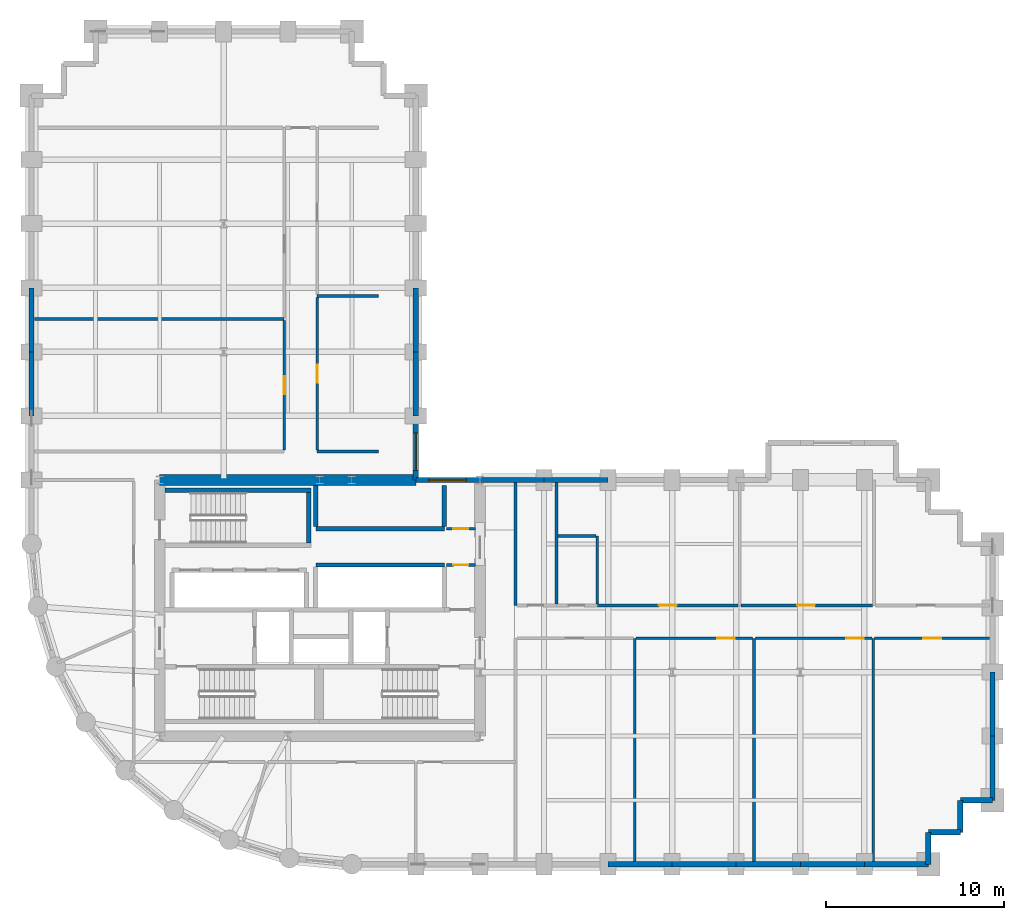
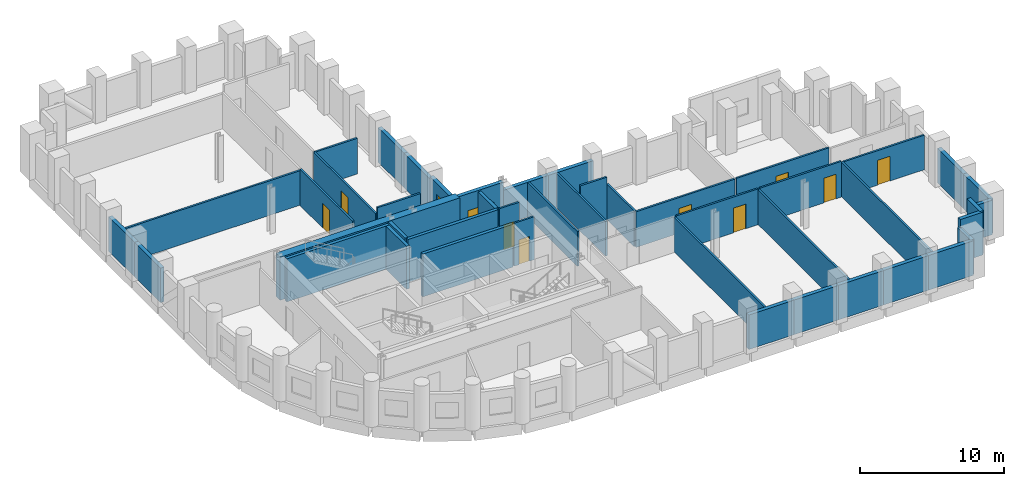
# One storey, part 5 of 8: 45 walls, 9 doors, 2 windows, 11 openings.
"""IFC4 building model written with IfcOpenShell, lengths in metres."""

from ifc_helpers import new_model, si_unit, direction, frame, frame_2d, origin, place, context, subcontext, project, spatial, rectangle, extrude, material, layer, layer_set, type_object, element, fill, save


model = new_model("IFC4")

# Units and contexts
model_context = context("Model", 3, precision=1e-05, world=origin(), true_north=direction((0.0, 1.0)))
body_context = subcontext(model_context, "Body", "Model", "MODEL_VIEW")
ifc_project = project(units=[si_unit("LENGTHUNIT", "METRE"), si_unit("AREAUNIT", "SQUARE_METRE"), si_unit("VOLUMEUNIT", "CUBIC_METRE"), si_unit("PLANEANGLEUNIT", "RADIAN"), si_unit("MASSUNIT", "GRAM", prefix="KILO")], contexts=[model_context])

# Site, building, storey
site_placement = place(None, origin())
site = spatial("IfcSite", under=ifc_project, at=site_placement, CompositionType="ELEMENT")
building_placement = place(site_placement, origin())
building = spatial("IfcBuilding", under=site, at=building_placement, Name="Solnavia Interchange Tower", CompositionType="ELEMENT")
storey_placement = place(building_placement, frame((0.0, 0.0, 35.699951171875)))
storey = spatial("IfcBuildingStorey", under=building, at=storey_placement, Name="L08", CompositionType="ELEMENT", Elevation=35.699951171875)

# Walls
ifc_material_1 = material(Name="Concrete C40/50", Category="concrete")
ifc_layer_1 = layer(ifc_material_1, 0.300048828125)
ifc_layer_set_1 = layer_set([ifc_layer_1], Name="Concrete C40/50")
wall_type_1 = type_object("IfcWallType", Name="Wall-ExtSpandrel-300", PredefinedType="STANDARD", material=ifc_layer_set_1)
wall_1_placement = place(storey_placement, frame((43.199951171875, 3.60009765625, 0.0), z_axis=(0.0, 0.0, 1.0), x_axis=(-1.0, 0.0, 0.0)))
element("IfcWall", 1, at=wall_1_placement, inside=storey, type_object=wall_type_1, Name="EXW-L08-05 Exterior precast spandrel wall", PredefinedType="STANDARD", context=body_context, shape_type="SweptSolid", body=[
    extrude(rectangle(XDim=3.599853515625, YDim=0.300048828125, at=frame_2d((1.7998046875, 0.0))), origin(), (0.0, 0.0, 1.0), 2.929931640625),
])
wall_2_placement = place(storey_placement, frame((46.800048828125, 3.60009765625, 0.0), z_axis=(0.0, 0.0, 1.0), x_axis=(-1.0, 0.0, 0.0)))
element("IfcWall", 2, at=wall_2_placement, inside=storey, type_object=wall_type_1, Name="EXW-L08-06 Exterior precast spandrel wall", PredefinedType="STANDARD", context=body_context, shape_type="SweptSolid", body=[
    extrude(rectangle(XDim=3.60009765625, YDim=0.300048828125, at=frame_2d((1.800048828125, 0.0))), origin(), (0.0, 0.0, 1.0), 2.929931640625),
])
wall_3_placement = place(storey_placement, frame((50.39990234375, 3.60009765625, 0.0), z_axis=(0.0, 0.0, 1.0), x_axis=(-1.0, 0.0, 0.0)))
element("IfcWall", 3, at=wall_3_placement, inside=storey, type_object=wall_type_1, Name="EXW-L08-07 Exterior precast spandrel wall", PredefinedType="STANDARD", context=body_context, shape_type="SweptSolid", body=[
    extrude(rectangle(XDim=3.599853515625, YDim=0.300048828125, at=frame_2d((1.7998046875, 0.0))), origin(), (0.0, 0.0, 1.0), 2.929931640625),
])
for number, where, z_axis, x_axis, name in (
    (4, (54.0, 3.60009765625, 0.0), (0.0, 0.0, 1.0), (-1.0, 0.0, 0.0), "EXW-L08-08 Exterior precast spandrel wall"),
    (5, (57.60009765625, 3.60009765625, 0.0), (0.0, 0.0, 1.0), (-1.0, 0.0, 0.0), "EXW-L08-09 Exterior precast spandrel wall"),
):
    element("IfcWall", number, at=place(storey_placement, frame(where, z_axis=z_axis, x_axis=x_axis)), inside=storey, type_object=wall_type_1, Name=name, PredefinedType="STANDARD", context=body_context, shape_type="SweptSolid", body=[
        extrude(rectangle(XDim=3.60009765625, YDim=0.300048828125, at=frame_2d((1.800048828125, 0.0))), origin(), (0.0, 0.0, 1.0), 2.929931640625),
    ])
wall_4_placement = place(storey_placement, frame((57.60009765625, 5.39990234375, 0.0), z_axis=(0.0, 0.0, 1.0), x_axis=(0.0, -1.0, 0.0)))
element("IfcWall", 6, at=wall_4_placement, inside=storey, type_object=wall_type_1, Name="EXW-L08-10 Exterior precast spandrel wall", PredefinedType="STANDARD", context=body_context, shape_type="SweptSolid", body=[
    extrude(rectangle(XDim=1.7998046875, YDim=0.300048828125, at=frame_2d((0.89990234375, 0.0))), origin(), (0.0, 0.0, 1.0), 2.929931640625),
])
wall_5_placement = place(storey_placement, frame((59.39990234375, 5.39990234375, 0.0), z_axis=(0.0, 0.0, 1.0), x_axis=(-1.0, 0.0, 0.0)))
element("IfcWall", 7, at=wall_5_placement, inside=storey, type_object=wall_type_1, Name="EXW-L08-11 Exterior precast spandrel wall", PredefinedType="STANDARD", context=body_context, shape_type="SweptSolid", body=[
    extrude(rectangle(XDim=1.7998046875, YDim=0.300048828125, at=frame_2d((0.89990234375, 0.0))), origin(), (0.0, 0.0, 1.0), 3.635009765625),
])
wall_6_placement = place(storey_placement, frame((59.39990234375, 7.199951171875, 0.0), z_axis=(0.0, 0.0, 1.0), x_axis=(0.0, -1.0, 0.0)))
element("IfcWall", 8, at=wall_6_placement, inside=storey, type_object=wall_type_1, Name="EXW-L08-12 Exterior precast spandrel wall", PredefinedType="STANDARD", context=body_context, shape_type="SweptSolid", body=[
    extrude(rectangle(XDim=1.800048828125, YDim=0.300048828125, at=frame_2d((0.89990234375, 0.0))), origin(), (0.0, 0.0, 1.0), 3.635009765625),
])
wall_7_placement = place(storey_placement, frame((61.199951171875, 7.199951171875, 0.0), z_axis=(0.0, 0.0, 1.0), x_axis=(-1.0, 0.0, 0.0)))
element("IfcWall", 9, at=wall_7_placement, inside=storey, type_object=wall_type_1, Name="EXW-L08-13 Exterior precast spandrel wall", PredefinedType="STANDARD", context=body_context, shape_type="SweptSolid", body=[
    extrude(rectangle(XDim=1.800048828125, YDim=0.300048828125, at=frame_2d((0.89990234375, 0.0))), origin(), (0.0, 0.0, 1.0), 2.929931640625),
])
wall_8_placement = place(storey_placement, frame((61.199951171875, 10.800048828125, 0.0), z_axis=(0.0, 0.0, 1.0), x_axis=(0.0, -1.0, 0.0)))
element("IfcWall", 10, at=wall_8_placement, inside=storey, type_object=wall_type_1, Name="EXW-L08-14 Exterior precast spandrel wall", PredefinedType="STANDARD", context=body_context, shape_type="SweptSolid", body=[
    extrude(rectangle(XDim=3.60009765625, YDim=0.300048828125, at=frame_2d((1.800048828125, 0.0))), origin(), (0.0, 0.0, 1.0), 2.929931640625),
])
wall_9_placement = place(storey_placement, frame((61.199951171875, 14.39990234375, 0.0), z_axis=(0.0, 0.0, 1.0), x_axis=(0.0, -1.0, 0.0)))
element("IfcWall", 11, at=wall_9_placement, inside=storey, type_object=wall_type_1, Name="EXW-L08-15 Exterior precast spandrel wall", PredefinedType="STANDARD", context=body_context, shape_type="SweptSolid", body=[
    extrude(rectangle(XDim=3.599853515625, YDim=0.300048828125, at=frame_2d((1.7998046875, 0.0))), origin(), (0.0, 0.0, 1.0), 2.929931640625),
])
for number, where, z_axis, x_axis, name in (
    (12, (36.0, 25.199951171875, 0.0), (0.0, 0.0, 1.0), (1.0, 0.0, 0.0), "EXW-L08-31 Exterior precast spandrel wall"),
    (13, (32.39990234375, 25.199951171875, 0.0), (0.0, 0.0, 1.0), (1.0, 0.0, 0.0), "EXW-L08-32 Exterior precast spandrel wall"),
):
    element("IfcWall", number, at=place(storey_placement, frame(where, z_axis=z_axis, x_axis=x_axis)), inside=storey, type_object=wall_type_1, Name=name, PredefinedType="STANDARD", context=body_context, shape_type="SweptSolid", body=[
        extrude(rectangle(XDim=3.60009765625, YDim=0.300048828125, at=frame_2d((1.800048828125, 0.0))), origin(), (0.0, 0.0, 1.0), 2.929931640625),
    ])

# Wall, opening, window
wall_10_placement = place(storey_placement, frame((28.800048828125, 25.199951171875, 0.0), z_axis=(0.0, 0.0, 1.0), x_axis=(1.0, 0.0, 0.0)))
wall_10 = element("IfcWall", 14, at=wall_10_placement, inside=storey, type_object=wall_type_1, Name="EXW-L08-33 Exterior precast spandrel wall", PredefinedType="STANDARD", context=body_context, shape_type="SweptSolid", body=[
    extrude(rectangle(XDim=3.599853515625, YDim=0.300048828125, at=frame_2d((1.7998046875, 0.0))), origin(), (0.0, 0.0, 1.0), 3.635009765625),
])
opening_1_placement = place(wall_10_placement, frame((0.72802734375, 0.0, 0.85009765625)))
opening_1 = element("IfcOpeningElement", 15, at=opening_1_placement, cuts=wall_10, Name="Opening WIN-01", PredefinedType="OPENING", context=body_context, shape_type="SweptSolid", body=[
    extrude(rectangle(XDim=2.10009765625, YDim=1.35009765625, at=frame_2d((1.050048828125, 0.675048828125))), frame((0.0, 0.16015625, 0.0), z_axis=(0.0, -1.0, 0.0), x_axis=(1.0, 0.0, 0.0)), (0.0, 0.0, 1.0), 0.320068359375),
])
ifc_material_2 = material(Name="Thermal-Break Aluminium & Low-E Glass", Category="aluminium")
window_type = type_object("IfcWindowType", Name="Window-Ribbon-2100x1350", PartitioningType="SINGLE_PANEL", PredefinedType="WINDOW", material=ifc_material_2)
window_1_placement = place(opening_1_placement, origin())
window_1 = element("IfcWindow", 16, at=window_1_placement, inside=storey, type_object=window_type, Name="WIN-L08-33 Facade ribbon window", OverallHeight=1.35009765625, OverallWidth=2.10009765625, PartitioningType="SINGLE_PANEL", PredefinedType="WINDOW", context=body_context, shape_type="SweptSolid", body=[
    extrude(rectangle(XDim=2.10009765625, YDim=1.35009765625, at=frame_2d((1.050048828125, 0.675048828125))), frame((0.0, 0.030029296875, 0.0), z_axis=(0.0, -1.0, 0.0), x_axis=(1.0, 0.0, 0.0)), (0.0, 0.0, 1.0), 0.06005859375),
])
fill(opening_1, window_1)

wall_11_placement = place(storey_placement, frame((28.800048828125, 25.199951171875, 0.0), z_axis=(0.0, 0.0, 1.0), x_axis=(0.0, 1.0, 0.0)))
wall_11 = element("IfcWall", 17, at=wall_11_placement, inside=storey, type_object=wall_type_1, Name="EXW-L08-34 Exterior precast spandrel wall", PredefinedType="STANDARD", context=body_context, shape_type="SweptSolid", body=[
    extrude(rectangle(XDim=3.60009765625, YDim=0.300048828125, at=frame_2d((1.800048828125, 0.0))), origin(), (0.0, 0.0, 1.0), 3.14013671875),
])
opening_2_placement = place(wall_11_placement, frame((0.544921875, 0.0, 0.85009765625)))
opening_2 = element("IfcOpeningElement", 18, at=opening_2_placement, cuts=wall_11, Name="Opening WIN-01", PredefinedType="OPENING", context=body_context, shape_type="SweptSolid", body=[
    extrude(rectangle(XDim=2.10009765625, YDim=1.35009765625, at=frame_2d((1.050048828125, 0.675048828125))), frame((0.0, 0.16015625, 0.0), z_axis=(0.0, -1.0, 0.0), x_axis=(1.0, 0.0, 0.0)), (0.0, 0.0, 1.0), 0.320068359375),
])
window_2_placement = place(opening_2_placement, origin())
window_2 = element("IfcWindow", 19, at=window_2_placement, inside=storey, type_object=window_type, Name="WIN-L08-34 Facade ribbon window", OverallHeight=1.35009765625, OverallWidth=2.10009765625, PartitioningType="SINGLE_PANEL", PredefinedType="WINDOW", context=body_context, shape_type="SweptSolid", body=[
    extrude(rectangle(XDim=2.10009765625, YDim=1.35009765625, at=frame_2d((1.050048828125, 0.675048828125))), frame((0.0, 0.030029296875, 0.0), z_axis=(0.0, -1.0, 0.0), x_axis=(1.0, 0.0, 0.0)), (0.0, 0.0, 1.0), 0.06005859375),
])
fill(opening_2, window_2)

# Walls
wall_12_placement = place(storey_placement, frame((28.800048828125, 28.800048828125, 0.0), z_axis=(0.0, 0.0, 1.0), x_axis=(0.0, 1.0, 0.0)))
element("IfcWall", 20, at=wall_12_placement, inside=storey, type_object=wall_type_1, Name="EXW-L08-35 Exterior precast spandrel wall", PredefinedType="STANDARD", context=body_context, shape_type="SweptSolid", body=[
    extrude(rectangle(XDim=3.599853515625, YDim=0.300048828125, at=frame_2d((1.7998046875, 0.0))), origin(), (0.0, 0.0, 1.0), 2.929931640625),
])
for number, where, z_axis, x_axis, name in (
    (21, (28.800048828125, 32.39990234375, 0.0), (0.0, 0.0, 1.0), (0.0, 1.0, 0.0), "EXW-L08-36 Exterior precast spandrel wall"),
    (22, (7.199951171875, 32.39990234375, 0.0), (0.0, 0.0, 1.0), (0.0, 1.0, 0.0), "EXW-L08-55 Exterior precast spandrel wall"),
):
    element("IfcWall", number, at=place(storey_placement, frame(where, z_axis=z_axis, x_axis=x_axis)), inside=storey, type_object=wall_type_1, Name=name, PredefinedType="STANDARD", context=body_context, shape_type="SweptSolid", body=[
        extrude(rectangle(XDim=3.60009765625, YDim=0.300048828125, at=frame_2d((1.800048828125, 0.0))), origin(), (0.0, 0.0, 1.0), 2.929931640625),
    ])
wall_13_placement = place(storey_placement, frame((7.199951171875, 28.800048828125, 0.0), z_axis=(0.0, 0.0, 1.0), x_axis=(0.0, 1.0, 0.0)))
element("IfcWall", 23, at=wall_13_placement, inside=storey, type_object=wall_type_1, Name="EXW-L08-56 Exterior precast spandrel wall", PredefinedType="STANDARD", context=body_context, shape_type="SweptSolid", body=[
    extrude(rectangle(XDim=3.599853515625, YDim=0.300048828125, at=frame_2d((1.7998046875, 0.0))), origin(), (0.0, 0.0, 1.0), 2.929931640625),
])

# Wall, opening, door
ifc_material_3 = material(Name="Gypsum Plasterboard & Steel Stud", Category="steel")
ifc_layer_2 = layer(ifc_material_3, 0.14990234375)
ifc_layer_set_2 = layer_set([ifc_layer_2], Name="Gypsum Plasterboard & Steel Stud")
wall_type_2 = type_object("IfcWallType", Name="Wall-Partition-150", PredefinedType="PARTITIONING", material=ifc_layer_set_2)
wall_14_placement = place(storey_placement, frame((30.52001953125, 22.4599609375, 0.0), z_axis=(0.0, 0.0, 1.0), x_axis=(1.0, 0.0, 0.0)))
wall_14 = element("IfcWall", 24, at=wall_14_placement, inside=storey, type_object=wall_type_2, Name="CSW-L08-NE-S Core shaft wall", PredefinedType="PARTITIONING", context=body_context, shape_type="SweptSolid", body=[
    extrude(rectangle(XDim=1.6298828125, YDim=0.14990234375, at=frame_2d((0.81494140625, 0.0))), origin(), (0.0, 0.0, 1.0), 3.635009765625),
])
opening_3_placement = place(wall_14_placement, frame((0.3798828125, 0.0, 0.0)))
opening_3 = element("IfcOpeningElement", 25, at=opening_3_placement, cuts=wall_14, Name="Opening DR-10", PredefinedType="OPENING", context=body_context, shape_type="SweptSolid", body=[
    extrude(rectangle(XDim=0.85009765625, YDim=2.10009765625, at=frame_2d((0.425048828125, 1.050048828125))), frame((0.0, 0.0849609375, 0.0), z_axis=(0.0, -1.0, 0.0), x_axis=(1.0, 0.0, 0.0)), (0.0, 0.0, 1.0), 0.169921875),
])
ifc_material_4 = material(Name="Moisture-Resistant Timber Door", Category="wood")
door_type_1 = type_object("IfcDoorType", Name="Door-Bathroom-850x2100", OperationType="SINGLE_SWING_RIGHT", PredefinedType="DOOR", material=ifc_material_4)
door_1_placement = place(opening_3_placement, origin())
door_1 = element("IfcDoor", 26, at=door_1_placement, inside=storey, type_object=door_type_1, Name="DR-L08-CNE1 Core fire door", OperationType="SINGLE_SWING_RIGHT", OverallHeight=2.10009765625, OverallWidth=0.85009765625, PredefinedType="DOOR", context=body_context, shape_type="SweptSolid", body=[
    extrude(rectangle(XDim=0.85009765625, YDim=2.10009765625, at=frame_2d((0.425048828125, 1.050048828125))), frame((0.0, 0.02490234375, 0.0), z_axis=(0.0, -1.0, 0.0), x_axis=(1.0, 0.0, 0.0)), (0.0, 0.0, 1.0), 0.050048828125),
])
fill(opening_3, door_1)

wall_15_placement = place(storey_placement, frame((30.52001953125, 20.419921875, 0.0), z_axis=(0.0, 0.0, 1.0), x_axis=(1.0, 0.0, 0.0)))
wall_15 = element("IfcWall", 27, at=wall_15_placement, inside=storey, type_object=wall_type_2, Name="CSW-L08-SE-N Core shaft wall", PredefinedType="PARTITIONING", context=body_context, shape_type="SweptSolid", body=[
    extrude(rectangle(XDim=1.6298828125, YDim=0.14990234375, at=frame_2d((0.81494140625, 0.0))), origin(), (0.0, 0.0, 1.0), 3.635009765625),
])
opening_4_placement = place(wall_15_placement, frame((0.3798828125, 0.0, 0.0)))
opening_4 = element("IfcOpeningElement", 28, at=opening_4_placement, cuts=wall_15, Name="Opening DR-10", PredefinedType="OPENING", context=body_context, shape_type="SweptSolid", body=[
    extrude(rectangle(XDim=0.85009765625, YDim=2.10009765625, at=frame_2d((0.425048828125, 1.050048828125))), frame((0.0, 0.0849609375, 0.0), z_axis=(0.0, -1.0, 0.0), x_axis=(1.0, 0.0, 0.0)), (0.0, 0.0, 1.0), 0.169921875),
])
door_2_placement = place(opening_4_placement, origin())
door_2 = element("IfcDoor", 29, at=door_2_placement, inside=storey, type_object=door_type_1, Name="DR-L08-CSE1 Core fire door", OperationType="SINGLE_SWING_LEFT", OverallHeight=2.10009765625, OverallWidth=0.85009765625, PredefinedType="DOOR", context=body_context, shape_type="SweptSolid", body=[
    extrude(rectangle(XDim=0.85009765625, YDim=2.10009765625, at=frame_2d((0.425048828125, 1.050048828125))), frame((0.0, 0.02490234375, 0.0), z_axis=(0.0, -1.0, 0.0), x_axis=(1.0, 0.0, 0.0)), (0.0, 0.0, 1.0), 0.050048828125),
])
fill(opening_4, door_2)

# Walls
for number, where, z_axis, x_axis, name in (
    (30, (41.10009765625, 3.75390625, 0.0), (0.0, 0.0, 1.0), (0.0, 1.0, 0.0), "PTW-L08-18 Interior partition wall"),
    (31, (47.800048828125, 3.75390625, 0.0), (0.0, 0.0, 1.0), (0.0, 1.0, 0.0), "PTW-L08-20 Interior partition wall"),
):
    element("IfcWall", number, at=place(storey_placement, frame(where, z_axis=z_axis, x_axis=x_axis)), inside=storey, type_object=wall_type_2, Name=name, PredefinedType="PARTITIONING", context=body_context, shape_type="SweptSolid", body=[
        extrude(rectangle(XDim=12.546142578125, YDim=0.14990234375, at=frame_2d((6.27294921875, 0.0))), origin(), (0.0, 0.0, 1.0), 2.929931640625),
    ])

# Wall, opening, door
wall_16_placement = place(storey_placement, frame((41.178955078125, 16.300048828125, 0.0), z_axis=(0.0, 0.0, 1.0), x_axis=(1.0, 0.0, 0.0)))
wall_16 = element("IfcWall", 32, at=wall_16_placement, inside=storey, type_object=wall_type_2, Name="PTW-L08-21 Interior partition wall", PredefinedType="PARTITIONING", context=body_context, shape_type="SweptSolid", body=[
    extrude(rectangle(XDim=6.5419921875, YDim=0.14990234375, at=frame_2d((3.27099609375, 0.0))), origin(), (0.0, 0.0, 1.0), 3.0400390625),
])
opening_5_placement = place(wall_16_placement, frame((4.550048828125, 0.0, 0.0)))
opening_5 = element("IfcOpeningElement", 33, at=opening_5_placement, cuts=wall_16, Name="Opening DR-07", PredefinedType="OPENING", context=body_context, shape_type="SweptSolid", body=[
    extrude(rectangle(XDim=1.0, YDim=2.10009765625, at=frame_2d((0.5, 1.050048828125))), frame((0.0, 0.0849609375, 0.0), z_axis=(0.0, -1.0, 0.0), x_axis=(1.0, 0.0, 0.0)), (0.0, 0.0, 1.0), 0.169921875),
])
ifc_material_5 = material(Name="Timber & Acoustic Glazed Office Door", Category="wood")
door_type_2 = type_object("IfcDoorType", Name="Door-Office-1000x2100", OperationType="SINGLE_SWING_RIGHT", PredefinedType="DOOR", material=ifc_material_5)
door_3_placement = place(opening_5_placement, origin())
door_3 = element("IfcDoor", 34, at=door_3_placement, inside=storey, type_object=door_type_2, Name="DR-L08-09 Interior room door", OperationType="SINGLE_SWING_RIGHT", OverallHeight=2.10009765625, OverallWidth=1.0, PredefinedType="DOOR", context=body_context, shape_type="SweptSolid", body=[
    extrude(rectangle(XDim=1.0, YDim=2.10009765625, at=frame_2d((0.5, 1.050048828125))), frame((0.0, 0.02490234375, 0.0), z_axis=(0.0, -1.0, 0.0), x_axis=(1.0, 0.0, 0.0)), (0.0, 0.0, 1.0), 0.050048828125),
])
fill(opening_5, door_3)

# Wall
wall_17_placement = place(storey_placement, frame((54.5, 3.75390625, 0.0), z_axis=(0.0, 0.0, 1.0), x_axis=(0.0, 1.0, 0.0)))
element("IfcWall", 35, at=wall_17_placement, inside=storey, type_object=wall_type_2, Name="PTW-L08-22 Interior partition wall", PredefinedType="PARTITIONING", context=body_context, shape_type="SweptSolid", body=[
    extrude(rectangle(XDim=12.546142578125, YDim=0.14990234375, at=frame_2d((6.27294921875, 0.0))), origin(), (0.0, 0.0, 1.0), 2.929931640625),
])

# Wall, opening, door
wall_18_placement = place(storey_placement, frame((47.87890625, 16.300048828125, 0.0), z_axis=(0.0, 0.0, 1.0), x_axis=(1.0, 0.0, 0.0)))
wall_18 = element("IfcWall", 36, at=wall_18_placement, inside=storey, type_object=wall_type_2, Name="PTW-L08-23 Interior partition wall", PredefinedType="PARTITIONING", context=body_context, shape_type="SweptSolid", body=[
    extrude(rectangle(XDim=6.5419921875, YDim=0.14990234375, at=frame_2d((3.27099609375, 0.0))), origin(), (0.0, 0.0, 1.0), 3.0400390625),
])
opening_6_placement = place(wall_18_placement, frame((5.10302734375, 0.0, 0.0)))
opening_6 = element("IfcOpeningElement", 37, at=opening_6_placement, cuts=wall_18, Name="Opening DR-07", PredefinedType="OPENING", context=body_context, shape_type="SweptSolid", body=[
    extrude(rectangle(XDim=1.0, YDim=2.10009765625, at=frame_2d((0.5, 1.050048828125))), frame((0.0, 0.0849609375, 0.0), z_axis=(0.0, -1.0, 0.0), x_axis=(1.0, 0.0, 0.0)), (0.0, 0.0, 1.0), 0.169921875),
])
door_4_placement = place(opening_6_placement, origin())
door_4 = element("IfcDoor", 38, at=door_4_placement, inside=storey, type_object=door_type_2, Name="DR-L08-10 Interior room door", OperationType="SINGLE_SWING_LEFT", OverallHeight=2.10009765625, OverallWidth=1.0, PredefinedType="DOOR", context=body_context, shape_type="SweptSolid", body=[
    extrude(rectangle(XDim=1.0, YDim=2.10009765625, at=frame_2d((0.5, 1.050048828125))), frame((0.0, 0.02490234375, 0.0), z_axis=(0.0, -1.0, 0.0), x_axis=(1.0, 0.0, 0.0)), (0.0, 0.0, 1.0), 0.050048828125),
])
fill(opening_6, door_4)

wall_19_placement = place(storey_placement, frame((54.5791015625, 16.300048828125, 0.0), z_axis=(0.0, 0.0, 1.0), x_axis=(1.0, 0.0, 0.0)))
wall_19 = element("IfcWall", 39, at=wall_19_placement, inside=storey, type_object=wall_type_2, Name="PTW-L08-24 Interior partition wall", PredefinedType="PARTITIONING", context=body_context, shape_type="SweptSolid", body=[
    extrude(rectangle(XDim=6.466796875, YDim=0.14990234375, at=frame_2d((3.2333984375, 0.0))), origin(), (0.0, 0.0, 1.0), 2.929931640625),
])
opening_7_placement = place(wall_19_placement, frame((2.73095703125, 0.0, 0.0)))
opening_7 = element("IfcOpeningElement", 40, at=opening_7_placement, cuts=wall_19, Name="Opening DR-07", PredefinedType="OPENING", context=body_context, shape_type="SweptSolid", body=[
    extrude(rectangle(XDim=1.0, YDim=2.10009765625, at=frame_2d((0.5, 1.050048828125))), frame((0.0, 0.0849609375, 0.0), z_axis=(0.0, -1.0, 0.0), x_axis=(1.0, 0.0, 0.0)), (0.0, 0.0, 1.0), 0.169921875),
])
door_5_placement = place(opening_7_placement, origin())
door_5 = element("IfcDoor", 41, at=door_5_placement, inside=storey, type_object=door_type_2, Name="DR-L08-11 Interior room door", OperationType="SINGLE_SWING_RIGHT", OverallHeight=2.10009765625, OverallWidth=1.0, PredefinedType="DOOR", context=body_context, shape_type="SweptSolid", body=[
    extrude(rectangle(XDim=1.0, YDim=2.10009765625, at=frame_2d((0.5, 1.050048828125))), frame((0.0, 0.02490234375, 0.0), z_axis=(0.0, -1.0, 0.0), x_axis=(1.0, 0.0, 0.0)), (0.0, 0.0, 1.0), 0.050048828125),
])
fill(opening_7, door_5)

wall_20_placement = place(storey_placement, frame((39.0, 18.14990234375, 0.0), z_axis=(0.0, 0.0, 1.0), x_axis=(1.0, 0.0, 0.0)))
wall_20 = element("IfcWall", 42, at=wall_20_placement, inside=storey, type_object=wall_type_2, Name="PTW-L08-26 Interior partition wall", PredefinedType="PARTITIONING", context=body_context, shape_type="SweptSolid", body=[
    extrude(rectangle(XDim=7.910888671875, YDim=0.14990234375, at=frame_2d((3.95556640625, 0.0))), origin(), (0.0, 0.0, 1.0), 3.030029296875),
])
opening_8_placement = place(wall_20_placement, frame((3.455078125, 0.0, 0.0)))
opening_8 = element("IfcOpeningElement", 43, at=opening_8_placement, cuts=wall_20, Name="Opening DR-07", PredefinedType="OPENING", context=body_context, shape_type="SweptSolid", body=[
    extrude(rectangle(XDim=1.0, YDim=2.10009765625, at=frame_2d((0.5, 1.050048828125))), frame((0.0, 0.0849609375, 0.0), z_axis=(0.0, -1.0, 0.0), x_axis=(1.0, 0.0, 0.0)), (0.0, 0.0, 1.0), 0.169921875),
])
door_6_placement = place(opening_8_placement, origin())
door_6 = element("IfcDoor", 44, at=door_6_placement, inside=storey, type_object=door_type_2, Name="DR-L08-12 Interior room door", OperationType="SINGLE_SWING_RIGHT", OverallHeight=2.10009765625, OverallWidth=1.0, PredefinedType="DOOR", context=body_context, shape_type="SweptSolid", body=[
    extrude(rectangle(XDim=1.0, YDim=2.10009765625, at=frame_2d((0.5, 1.050048828125))), frame((0.0, 0.02490234375, 0.0), z_axis=(0.0, -1.0, 0.0), x_axis=(1.0, 0.0, 0.0)), (0.0, 0.0, 1.0), 0.050048828125),
])
fill(opening_8, door_6)

wall_21_placement = place(storey_placement, frame((47.069091796875, 18.14990234375, 0.0), z_axis=(0.0, 0.0, 1.0), x_axis=(1.0, 0.0, 0.0)))
wall_21 = element("IfcWall", 45, at=wall_21_placement, inside=storey, type_object=wall_type_2, Name="PTW-L08-28 Interior partition wall", PredefinedType="PARTITIONING", context=body_context, shape_type="SweptSolid", body=[
    extrude(rectangle(XDim=7.391845703125, YDim=0.14990234375, at=frame_2d((3.69580078125, 0.0))), origin(), (0.0, 0.0, 1.0), 3.0400390625),
])
opening_9_placement = place(wall_21_placement, frame((3.156005859375, 0.0, 0.0)))
opening_9 = element("IfcOpeningElement", 46, at=opening_9_placement, cuts=wall_21, Name="Opening DR-07", PredefinedType="OPENING", context=body_context, shape_type="SweptSolid", body=[
    extrude(rectangle(XDim=1.0, YDim=2.10009765625, at=frame_2d((0.5, 1.050048828125))), frame((0.0, 0.0849609375, 0.0), z_axis=(0.0, -1.0, 0.0), x_axis=(1.0, 0.0, 0.0)), (0.0, 0.0, 1.0), 0.169921875),
])
door_7_placement = place(opening_9_placement, origin())
door_7 = element("IfcDoor", 47, at=door_7_placement, inside=storey, type_object=door_type_2, Name="DR-L08-13 Interior room door", OperationType="SINGLE_SWING_RIGHT", OverallHeight=2.10009765625, OverallWidth=1.0, PredefinedType="DOOR", context=body_context, shape_type="SweptSolid", body=[
    extrude(rectangle(XDim=1.0, YDim=2.10009765625, at=frame_2d((0.5, 1.050048828125))), frame((0.0, 0.02490234375, 0.0), z_axis=(0.0, -1.0, 0.0), x_axis=(1.0, 0.0, 0.0)), (0.0, 0.0, 1.0), 0.050048828125),
])
fill(opening_9, door_7)

# Wall
wall_22_placement = place(storey_placement, frame((7.35400390625, 34.25, 0.0), z_axis=(0.0, 0.0, 1.0), x_axis=(1.0, 0.0, 0.0)))
element("IfcWall", 48, at=wall_22_placement, inside=storey, type_object=wall_type_2, Name="PTW-L08-31 Interior partition wall", PredefinedType="PARTITIONING", context=body_context, shape_type="SweptSolid", body=[
    extrude(rectangle(XDim=14.0458984375, YDim=0.14990234375, at=frame_2d((7.02294921875, 0.0))), origin(), (0.0, 0.0, 1.0), 2.929931640625),
])

# Wall, opening, door
wall_23_placement = place(storey_placement, frame((21.39990234375, 26.87890625, 0.0), z_axis=(0.0, 0.0, 1.0), x_axis=(0.0, 1.0, 0.0)))
wall_23 = element("IfcWall", 49, at=wall_23_placement, inside=storey, type_object=wall_type_2, Name="PTW-L08-32 Interior partition wall", PredefinedType="PARTITIONING", context=body_context, shape_type="SweptSolid", body=[
    extrude(rectangle(XDim=7.2919921875, YDim=0.14990234375, at=frame_2d((3.64599609375, 0.0))), origin(), (0.0, 0.0, 1.0), 3.080078125),
])
opening_10_placement = place(wall_23_placement, frame((3.14599609375, 0.0, 0.0)))
opening_10 = element("IfcOpeningElement", 50, at=opening_10_placement, cuts=wall_23, Name="Opening DR-07", PredefinedType="OPENING", context=body_context, shape_type="SweptSolid", body=[
    extrude(rectangle(XDim=1.0, YDim=2.10009765625, at=frame_2d((0.5, 1.050048828125))), frame((0.0, 0.0849609375, 0.0), z_axis=(0.0, -1.0, 0.0), x_axis=(1.0, 0.0, 0.0)), (0.0, 0.0, 1.0), 0.169921875),
])
door_8_placement = place(opening_10_placement, origin())
door_8 = element("IfcDoor", 51, at=door_8_placement, inside=storey, type_object=door_type_2, Name="DR-L08-15 Interior room door", OperationType="SINGLE_SWING_RIGHT", OverallHeight=2.10009765625, OverallWidth=1.0, PredefinedType="DOOR", context=body_context, shape_type="SweptSolid", body=[
    extrude(rectangle(XDim=1.0, YDim=2.10009765625, at=frame_2d((0.5, 1.050048828125))), frame((0.0, 0.02490234375, 0.0), z_axis=(0.0, -1.0, 0.0), x_axis=(1.0, 0.0, 0.0)), (0.0, 0.0, 1.0), 0.050048828125),
])
fill(opening_10, door_8)

# Walls
wall_24_placement = place(storey_placement, frame((23.25, 26.800048828125, 0.0), z_axis=(0.0, 0.0, 1.0), x_axis=(1.0, 0.0, 0.0)))
element("IfcWall", 52, at=wall_24_placement, inside=storey, type_object=wall_type_2, Name="PTW-L08-34 Interior partition wall", PredefinedType="PARTITIONING", context=body_context, shape_type="SweptSolid", body=[
    extrude(rectangle(XDim=3.449951171875, YDim=0.14990234375, at=frame_2d((1.72509765625, 0.0))), origin(), (0.0, 0.0, 1.0), 3.635009765625),
])
wall_25_placement = place(storey_placement, frame((23.25, 35.5400390625, 0.0), z_axis=(0.0, 0.0, 1.0), x_axis=(1.0, 0.0, 0.0)))
element("IfcWall", 53, at=wall_25_placement, inside=storey, type_object=wall_type_2, Name="PTW-L08-35 Interior partition wall", PredefinedType="PARTITIONING", context=body_context, shape_type="SweptSolid", body=[
    extrude(rectangle(XDim=3.449951171875, YDim=0.14990234375, at=frame_2d((1.72509765625, 0.0))), origin(), (0.0, 0.0, 1.0), 3.030029296875),
])

# Wall, opening, door
wall_26_placement = place(storey_placement, frame((23.25, 26.87890625, 0.0), z_axis=(0.0, 0.0, 1.0), x_axis=(0.0, 1.0, 0.0)))
wall_26 = element("IfcWall", 54, at=wall_26_placement, inside=storey, type_object=wall_type_2, Name="PTW-L08-36 Interior partition wall", PredefinedType="PARTITIONING", context=body_context, shape_type="SweptSolid", body=[
    extrude(rectangle(XDim=8.58203125, YDim=0.14990234375, at=frame_2d((4.291015625, 0.0))), origin(), (0.0, 0.0, 1.0), 3.080078125),
])
opening_11_placement = place(wall_26_placement, frame((3.791015625, 0.0, 0.0)))
opening_11 = element("IfcOpeningElement", 55, at=opening_11_placement, cuts=wall_26, Name="Opening DR-07", PredefinedType="OPENING", context=body_context, shape_type="SweptSolid", body=[
    extrude(rectangle(XDim=1.0, YDim=2.10009765625, at=frame_2d((0.5, 1.050048828125))), frame((0.0, 0.0849609375, 0.0), z_axis=(0.0, -1.0, 0.0), x_axis=(1.0, 0.0, 0.0)), (0.0, 0.0, 1.0), 0.169921875),
])
door_9_placement = place(opening_11_placement, origin())
door_9 = element("IfcDoor", 56, at=door_9_placement, inside=storey, type_object=door_type_2, Name="DR-L08-17 Interior room door", OperationType="SINGLE_SWING_LEFT", OverallHeight=2.10009765625, OverallWidth=1.0, PredefinedType="DOOR", context=body_context, shape_type="SweptSolid", body=[
    extrude(rectangle(XDim=1.0, YDim=2.10009765625, at=frame_2d((0.5, 1.050048828125))), frame((0.0, 0.02490234375, 0.0), z_axis=(0.0, -1.0, 0.0), x_axis=(1.0, 0.0, 0.0)), (0.0, 0.0, 1.0), 0.050048828125),
])
fill(opening_11, door_9)

# Walls
ifc_layer_3 = layer(ifc_material_1, 0.25)
ifc_layer_set_3 = layer_set([ifc_layer_3], Name="Concrete C40/50")
wall_type_3 = type_object("IfcWallType", Name="Wall-ShaftCore-250", PredefinedType="SHEAR", material=ifc_layer_set_3)
wall_27_placement = place(storey_placement, frame((14.699951171875, 24.614990234375, 0.0), z_axis=(0.0, 0.0, 1.0), x_axis=(1.0, 0.0, 0.0)))
element("IfcWall", 57, at=wall_27_placement, inside=storey, type_object=wall_type_3, Name="SHW-L08-ST3N Core shear wall", PredefinedType="SHEAR", context=body_context, shape_type="SweptSolid", body=[
    extrude(rectangle(XDim=8.199951171875, YDim=0.25, at=frame_2d((4.10009765625, 0.0))), origin(), (0.0, 0.0, 1.0), 3.650146484375),
])
wall_28_placement = place(storey_placement, frame((22.77490234375, 21.64990234375, 0.0), z_axis=(0.0, 0.0, 1.0), x_axis=(0.0, 1.0, 0.0)))
element("IfcWall", 58, at=wall_28_placement, inside=storey, type_object=wall_type_3, Name="SHW-L08-ST3E Core shear wall", PredefinedType="SHEAR", context=body_context, shape_type="SweptSolid", body=[
    extrude(rectangle(XDim=2.840087890625, YDim=0.25, at=frame_2d((1.419921875, 0.0))), origin(), (0.0, 0.0, 1.0), 3.650146484375),
])
ifc_layer_4 = layer(ifc_material_1, 0.25)
ifc_layer_set_4 = layer_set([ifc_layer_4], Name="Concrete C40/50")
wall_type_4 = type_object("IfcWallType", Name="Wall-ShaftPart-250", PredefinedType="PARTITIONING", material=ifc_layer_set_4)
for number, where, z_axis, x_axis, name in (
    (59, (23.179931640625, 20.419921875, 0.0), (0.0, 0.0, 1.0), (1.0, 0.0, 0.0), "SHW-L08-B2N Core shaft wall"),
    (60, (23.179931640625, 22.4599609375, 0.0), (0.0, 0.0, 1.0), (1.0, 0.0, 0.0), "SHW-L08-B3S Core shaft wall"),
):
    element("IfcWall", number, at=place(storey_placement, frame(where, z_axis=z_axis, x_axis=x_axis)), inside=storey, type_object=wall_type_4, Name=name, PredefinedType="PARTITIONING", context=body_context, shape_type="SweptSolid", body=[
        extrude(rectangle(XDim=7.219970703125, YDim=0.25, at=frame_2d((3.60986328125, 0.0))), origin(), (0.0, 0.0, 1.0), 3.635009765625),
    ])
for number, where, z_axis, x_axis, name in (
    (61, (23.179931640625, 22.5849609375, 0.0), (0.0, 0.0, 1.0), (0.0, 1.0, 0.0), "SHW-L08-B3W Core shaft wall"),
    (62, (30.39990234375, 22.5849609375, 0.0), (0.0, 0.0, 1.0), (0.0, 1.0, 0.0), "SHW-L08-B3E Core shaft wall"),
):
    element("IfcWall", number, at=place(storey_placement, frame(where, z_axis=z_axis, x_axis=x_axis)), inside=storey, type_object=wall_type_4, Name=name, PredefinedType="PARTITIONING", context=body_context, shape_type="SweptSolid", body=[
        extrude(rectangle(XDim=2.31494140625, YDim=0.25, at=frame_2d((1.157470703125, 0.0))), origin(), (0.0, 0.0, 1.0), 3.635009765625),
    ])
ifc_material_6 = material(Name="Concrete C60/75", Category="concrete")
ifc_layer_5 = layer(ifc_material_6, 0.60009765625)
ifc_layer_set_5 = layer_set([ifc_layer_5], Name="Concrete C60/75")
wall_type_5 = type_object("IfcWallType", Name="Wall-ShearCore-600", PredefinedType="SHEAR", material=ifc_layer_set_5)
wall_29_placement = place(storey_placement, frame((14.39990234375, 25.199951171875, 0.0), z_axis=(0.0, 0.0, 1.0), x_axis=(1.0, 0.0, 0.0)))
element("IfcWall", 63, at=wall_29_placement, inside=storey, type_object=wall_type_5, Name="CRW-L08-N Core shear wall", PredefinedType="SHEAR", context=body_context, shape_type="SweptSolid", body=[
    extrude(rectangle(XDim=14.400146484375, YDim=0.60009765625, at=frame_2d((7.2001953125, 0.0))), origin(), (0.0, 0.0, 1.0), 3.650146484375),
])
ifc_material_7 = material(Name="Moisture-Resistant Gypsum & Steel Stud", Category="steel")
ifc_layer_6 = layer(ifc_material_7, 0.14990234375)
ifc_layer_set_6 = layer_set([ifc_layer_6], Name="Moisture-Resistant Gypsum & Steel Stud")
wall_type_6 = type_object("IfcWallType", Name="Wall-WetRoom-150", PredefinedType="PARTITIONING", material=ifc_layer_set_6)
wall_30_placement = place(storey_placement, frame((34.39990234375, 18.14990234375, 0.0), z_axis=(0.0, 0.0, 1.0), x_axis=(0.0, 1.0, 0.0)))
element("IfcWall", 64, at=wall_30_placement, inside=storey, type_object=wall_type_6, Name="PTW-L08-01 Interior partition wall", PredefinedType="PARTITIONING", context=body_context, shape_type="SweptSolid", body=[
    extrude(rectangle(XDim=6.89599609375, YDim=0.14990234375, at=frame_2d((3.447998046875, 0.0))), origin(), (0.0, 0.0, 1.0), 2.929931640625),
])
wall_31_placement = place(storey_placement, frame((36.699951171875, 18.22900390625, 0.0), z_axis=(0.0, 0.0, 1.0), x_axis=(0.0, 1.0, 0.0)))
element("IfcWall", 65, at=wall_31_placement, inside=storey, type_object=wall_type_6, Name="PTW-L08-03 Interior partition wall", PredefinedType="PARTITIONING", context=body_context, shape_type="SweptSolid", body=[
    extrude(rectangle(XDim=6.81689453125, YDim=0.14990234375, at=frame_2d((3.408447265625, 0.0))), origin(), (0.0, 0.0, 1.0), 2.929931640625),
])
wall_32_placement = place(storey_placement, frame((39.0, 18.22900390625, 0.0), z_axis=(0.0, 0.0, 1.0), x_axis=(0.0, 1.0, 0.0)))
element("IfcWall", 66, at=wall_32_placement, inside=storey, type_object=wall_type_6, Name="PTW-L08-05 Interior partition wall", PredefinedType="PARTITIONING", context=body_context, shape_type="SweptSolid", body=[
    extrude(rectangle(XDim=3.821044921875, YDim=0.14990234375, at=frame_2d((1.91064453125, 0.0))), origin(), (0.0, 0.0, 1.0), 3.030029296875),
])
wall_33_placement = place(storey_placement, frame((36.779052734375, 22.050048828125, 0.0), z_axis=(0.0, 0.0, 1.0), x_axis=(1.0, 0.0, 0.0)))
element("IfcWall", 67, at=wall_33_placement, inside=storey, type_object=wall_type_6, Name="PTW-L08-06 Interior partition wall", PredefinedType="PARTITIONING", context=body_context, shape_type="SweptSolid", body=[
    extrude(rectangle(XDim=2.141845703125, YDim=0.14990234375, at=frame_2d((1.07080078125, 0.0))), origin(), (0.0, 0.0, 1.0), 3.635009765625),
])

save(model, "model.ifc")
